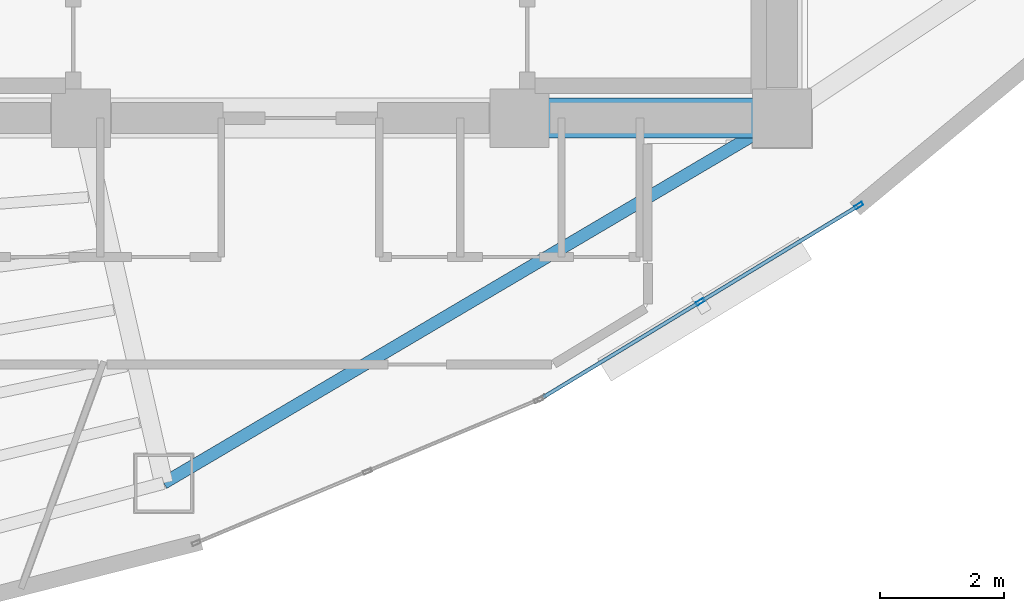
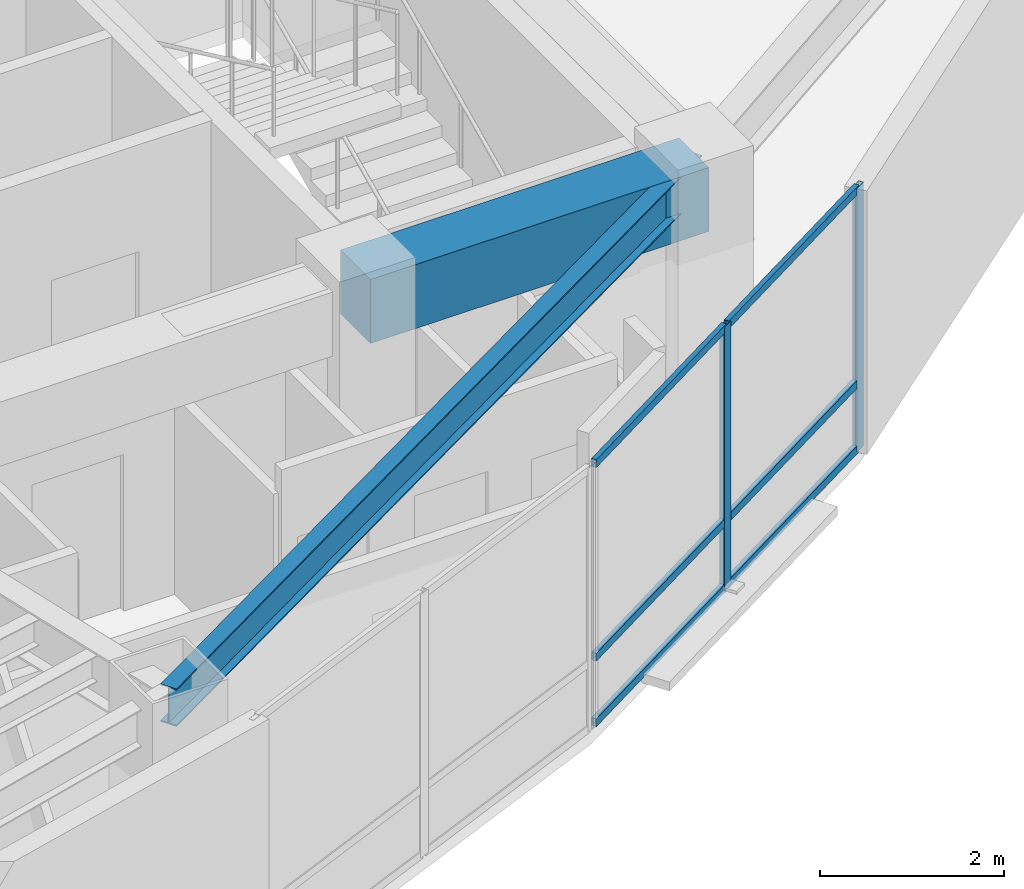
# One storey, part 5 of 15: 8 members, 2 beams, 1 element without a shape of its own.
"""IFC4 building model written with IfcOpenShell, lengths in metres."""

from ifc_helpers import new_model, si_unit, direction, frame, origin, origin_2d, place, context, subcontext, project, spatial, rectangle, hollow_rectangle, i_section, extrude, material, layer, layer_set, material_profile, profile_set, type_object, element, aggregate, save


model = new_model("IFC4")

# Units and contexts
model_context = context("Model", 3, precision=1e-05, world=origin(), true_north=direction((0.0, 1.0)))
body_context = subcontext(model_context, "Body", "Model", "MODEL_VIEW")
ifc_project = project(units=[si_unit("LENGTHUNIT", "METRE"), si_unit("AREAUNIT", "SQUARE_METRE"), si_unit("VOLUMEUNIT", "CUBIC_METRE"), si_unit("PLANEANGLEUNIT", "RADIAN"), si_unit("MASSUNIT", "GRAM", prefix="KILO")], contexts=[model_context])

# Site, building, storey
site_placement = place(None, origin())
site = spatial("IfcSite", under=ifc_project, at=site_placement, CompositionType="ELEMENT")
building_placement = place(site_placement, origin())
building = spatial("IfcBuilding", under=site, at=building_placement, Name="Menara Vayukalpa", CompositionType="ELEMENT")
storey_placement = place(building_placement, frame((0.0, 0.0, 223.260009765625)))
storey = spatial("IfcBuildingStorey", under=building, at=storey_placement, Name="L56", CompositionType="ELEMENT", Elevation=223.260009765625)

# Beams
ifc_material_1 = material(Name="Concrete C60/75", Category="concrete")
ifc_material_profile_1 = material_profile(ifc_material_1, rectangle(XDim=0.64990234375, YDim=0.85009765625, at=origin_2d()), Name="RC 650x850")
ifc_profile_set_1 = profile_set([ifc_material_profile_1], Name="Concrete C60/75")
beam_type_1 = type_object("IfcBeamType", Name="BM-CB1", PredefinedType="BEAM", material=ifc_profile_set_1)
beam_1_placement = place(storey_placement, frame((29.14990234375, 17.199951171875, 3.074951171875), z_axis=(1.0, 0.0, 0.0), x_axis=(0.0, 1.0, 0.0)))
element("IfcBeam", 1, at=beam_1_placement, inside=storey, type_object=beam_type_1, Name="L56 Core Tie Beam CBR3", PredefinedType="BEAM", context=body_context, shape_type="SweptSolid", body=[
    extrude(rectangle(XDim=0.64990234375, YDim=0.85009765625, at=origin_2d()), origin(), (0.0, 0.0, 1.0), 4.25),
])
ifc_material_2 = material(Name="Steel S355", Category="steel")
ifc_material_profile_2 = material_profile(ifc_material_2, i_section(OverallWidth=0.199951171875, OverallDepth=0.5, WebThickness=0.010009765625, FlangeThickness=0.01611328125, at=origin_2d()), Name="WF 500x200x10x16")
ifc_profile_set_2 = profile_set([ifc_material_profile_2], Name="Steel S355")
beam_type_2 = type_object("IfcBeamType", Name="BM-SP3", PredefinedType="SPANDREL", material=ifc_profile_set_2)
beam_2_placement = place(storey_placement, frame((23.389404296875, 11.29150390625, 3.25), z_axis=(0.861184403346, 0.508292655302, 0.0), x_axis=(-0.508292655302, 0.861184403346, 0.0)))
element("IfcBeam", 2, at=beam_2_placement, inside=storey, type_object=beam_type_2, Name="L56 Perimeter Spandrel Beam SP08", PredefinedType="SPANDREL", context=body_context, shape_type="SweptSolid", body=[
    extrude(i_section(OverallWidth=0.199951171875, OverallDepth=0.5, WebThickness=0.010009765625, FlangeThickness=0.01611328125, at=origin_2d()), origin(), (0.0, 0.0, 1.0), 11.6240234375),
])

# Curtain wall, members
ifc_material_3 = material(Name="Anodised Terracotta Aluminium Alloy 6063-T6", Category="masonry")
ifc_layer = layer(ifc_material_3, 0.139892578125)
ifc_layer_set = layer_set([ifc_layer], Name="Anodised Terracotta Aluminium Alloy 6063-T6")
curtain_wall_type = type_object("IfcCurtainWallType", Name="CW-CW5", PredefinedType="USERDEFINED", material=ifc_layer_set)
curtain_wall_placement = place(storey_placement, origin())
curtain_wall = element("IfcCurtainWall", 3, at=curtain_wall_placement, inside=storey, type_object=curtain_wall_type, Name="L56 High Rise Tapered Curtain Wall CW5 17", ObjectType="UNITISED", PredefinedType="USERDEFINED")
ifc_material_4 = material(Name="Anodised Terracotta Aluminium Alloy 6063-T6", Category="masonry")
ifc_material_profile_3 = material_profile(ifc_material_4, hollow_rectangle(XDim=0.06005859375, YDim=0.139892578125, WallThickness=0.00341796875, at=origin_2d()), Name="ALU 60x140x3.5")
ifc_profile_set_3 = profile_set([ifc_material_profile_3], Name="Anodised Terracotta Aluminium Alloy 6063-T6")
member_type_1 = type_object("IfcMemberType", Name="CWM-CW5", PredefinedType="MULLION", material=ifc_profile_set_3)
member_1_placement = place(storey_placement, frame((32.075439453125, 14.226318359375, 0.0), z_axis=(0.0, 0.0, 1.0), x_axis=(-0.519179911779, 0.854664974832, 0.0)))
member_1 = element("IfcMember", 4, at=member_1_placement, type_object=member_type_1, Name="CW5 mullion 2", PredefinedType="MULLION", context=body_context, shape_type="SweptSolid", body=[
    extrude(hollow_rectangle(XDim=0.06005859375, YDim=0.139892578125, WallThickness=0.00341796875, at=origin_2d()), origin(), (0.0, 0.0, 1.0), 3.5),
])
member_2_placement = place(storey_placement, frame((34.6416015625, 15.78515625, 0.0), z_axis=(0.0, 0.0, 1.0), x_axis=(-0.519179911779, 0.854664974832, 0.0)))
member_2 = element("IfcMember", 5, at=member_2_placement, type_object=member_type_1, Name="CW5 mullion 3", PredefinedType="MULLION", context=body_context, shape_type="SweptSolid", body=[
    extrude(hollow_rectangle(XDim=0.06005859375, YDim=0.139892578125, WallThickness=0.00341796875, at=origin_2d()), origin(), (0.0, 0.0, 1.0), 3.5),
])
ifc_material_5 = material(Name="Anodised Terracotta Aluminium Alloy 6063-T6", Category="masonry")
ifc_material_profile_4 = material_profile(ifc_material_5, hollow_rectangle(XDim=0.06005859375, YDim=0.10498046875, WallThickness=0.0029296875, at=origin_2d()), Name="ALU 60x105x3")
ifc_profile_set_4 = profile_set([ifc_material_profile_4], Name="Anodised Terracotta Aluminium Alloy 6063-T6")
member_type_2 = type_object("IfcMemberType", Name="CWT-CW5", PredefinedType="USERDEFINED", material=ifc_profile_set_4)
member_3_placement = place(storey_placement, frame((29.53515625, 12.68310546875, 0.030029296875), z_axis=(0.85466128475, 0.51918598628, 0.0), x_axis=(-0.51918598628, 0.85466128475, 0.0)))
member_3 = element("IfcMember", 6, at=member_3_placement, type_object=member_type_2, Name="CW5 transom 1.1", ObjectType="TRANSOM", PredefinedType="USERDEFINED", context=body_context, shape_type="SweptSolid", body=[
    extrude(hollow_rectangle(XDim=0.06005859375, YDim=0.10498046875, WallThickness=0.0029296875, at=origin_2d()), origin(), (0.0, 0.0, 1.0), 2.9423828125),
])
member_4_placement = place(storey_placement, frame((29.53515625, 12.68310546875, 0.89990234375), z_axis=(0.85466128475, 0.51918598628, 0.0), x_axis=(-0.51918598628, 0.85466128475, 0.0)))
member_4 = element("IfcMember", 7, at=member_4_placement, type_object=member_type_2, Name="CW5 transom 1.2", ObjectType="TRANSOM", PredefinedType="USERDEFINED", context=body_context, shape_type="SweptSolid", body=[
    extrude(hollow_rectangle(XDim=0.06005859375, YDim=0.10498046875, WallThickness=0.0029296875, at=origin_2d()), origin(), (0.0, 0.0, 1.0), 2.9423828125),
])
member_5_placement = place(storey_placement, frame((29.53515625, 12.68310546875, 3.469970703125), z_axis=(0.85466128475, 0.51918598628, 0.0), x_axis=(-0.51918598628, 0.85466128475, 0.0)))
member_5 = element("IfcMember", 8, at=member_5_placement, type_object=member_type_2, Name="CW5 transom 1.3", ObjectType="TRANSOM", PredefinedType="USERDEFINED", context=body_context, shape_type="SweptSolid", body=[
    extrude(hollow_rectangle(XDim=0.06005859375, YDim=0.10498046875, WallThickness=0.0029296875, at=origin_2d()), origin(), (0.0, 0.0, 1.0), 2.9423828125),
])
member_6_placement = place(storey_placement, frame((32.10107421875, 14.241943359375, 0.030029296875), z_axis=(0.854683649113, 0.519149169255, 0.0), x_axis=(-0.519149169255, 0.854683649113, 0.0)))
member_6 = element("IfcMember", 9, at=member_6_placement, type_object=member_type_2, Name="CW5 transom 2.1", ObjectType="TRANSOM", PredefinedType="USERDEFINED", context=body_context, shape_type="SweptSolid", body=[
    extrude(hollow_rectangle(XDim=0.06005859375, YDim=0.10498046875, WallThickness=0.0029296875, at=origin_2d()), origin(), (0.0, 0.0, 1.0), 2.9423828125),
])
member_7_placement = place(storey_placement, frame((32.10107421875, 14.241943359375, 0.89990234375), z_axis=(0.854683649113, 0.519149169255, 0.0), x_axis=(-0.519149169255, 0.854683649113, 0.0)))
member_7 = element("IfcMember", 10, at=member_7_placement, type_object=member_type_2, Name="CW5 transom 2.2", ObjectType="TRANSOM", PredefinedType="USERDEFINED", context=body_context, shape_type="SweptSolid", body=[
    extrude(hollow_rectangle(XDim=0.06005859375, YDim=0.10498046875, WallThickness=0.0029296875, at=origin_2d()), origin(), (0.0, 0.0, 1.0), 2.9423828125),
])
member_8_placement = place(storey_placement, frame((32.10107421875, 14.241943359375, 3.469970703125), z_axis=(0.854683649113, 0.519149169255, 0.0), x_axis=(-0.519149169255, 0.854683649113, 0.0)))
member_8 = element("IfcMember", 11, at=member_8_placement, type_object=member_type_2, Name="CW5 transom 2.3", ObjectType="TRANSOM", PredefinedType="USERDEFINED", context=body_context, shape_type="SweptSolid", body=[
    extrude(hollow_rectangle(XDim=0.06005859375, YDim=0.10498046875, WallThickness=0.0029296875, at=origin_2d()), origin(), (0.0, 0.0, 1.0), 2.9423828125),
])
aggregate(curtain_wall, [member_1, member_2, member_3, member_4, member_5, member_6, member_7, member_8])

save(model, "model.ifc")
